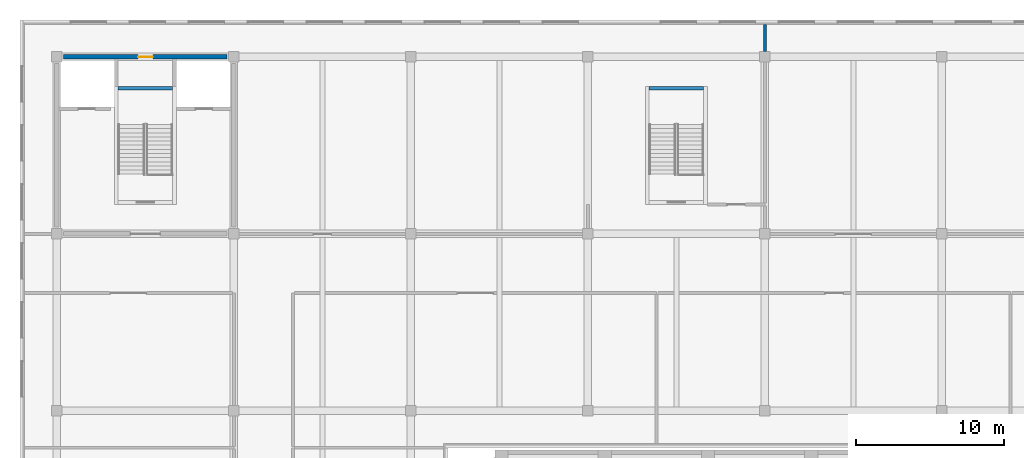
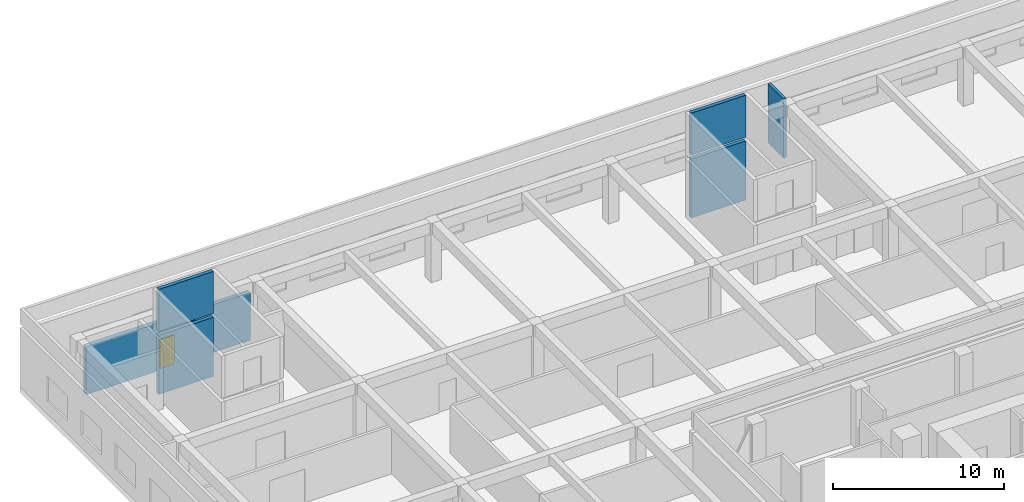
# One storey, part 22 of 35: 6 walls, 1 door, 1 opening.
"""IFC4 building model written with IfcOpenShell, lengths in metres."""

from ifc_helpers import new_model, si_unit, direction, frame, frame_2d, origin, place, context, subcontext, project, spatial, rectangle, extrude, source, transform, mapped, material, layer, layer_set, type_object, element, fill, save


model = new_model("IFC4")

# Units and contexts
model_context = context("Model", 3, precision=1e-05, world=origin(), true_north=direction((0.0, 1.0)))
body_context = subcontext(model_context, "Body", "Model", "MODEL_VIEW")
ifc_project = project(units=[si_unit("LENGTHUNIT", "METRE"), si_unit("AREAUNIT", "SQUARE_METRE"), si_unit("VOLUMEUNIT", "CUBIC_METRE"), si_unit("PLANEANGLEUNIT", "RADIAN"), si_unit("MASSUNIT", "GRAM", prefix="KILO")], contexts=[model_context])

# Site, building, storey
site_placement = place(None, origin())
site = spatial("IfcSite", under=ifc_project, at=site_placement, CompositionType="ELEMENT")
building_placement = place(site_placement, origin())
building = spatial("IfcBuilding", under=site, at=building_placement, Name="Kilnfold Tower and Market Hall", CompositionType="ELEMENT")
storey_placement = place(building_placement, frame((0.0, 0.0, 22.5)))
storey = spatial("IfcBuildingStorey", under=building, at=storey_placement, Name="L04", CompositionType="ELEMENT", Elevation=22.5)

# Walls
ifc_material_1 = material(Name="Concrete C50/60", Category="concrete")
ifc_layer_1 = layer(ifc_material_1, 0.25)
ifc_layer_set_1 = layer_set([ifc_layer_1], Name="Concrete C50/60")
wall_type_1 = type_object("IfcWallType", Name="HALL CORE WALL 250", PredefinedType="SHEAR", material=ifc_layer_set_1)
shared_shape_1 = source(origin(), body_context, "Body", "SweptSolid", [
    extrude(rectangle(XDim=3.699951171875, YDim=0.25, at=frame_2d((1.85009765625, 0.0))), origin(), (0.0, 0.0, 1.0), 4.219970703125),
])
for number, where, z_axis, x_axis, name in (
    (1, (-46.800048828125, 52.52490234375, 0.0), (0.0, 0.0, 1.0), (-1.0, 0.0, 0.0), "Core wall MH2"),
    (2, (-14.5, 52.52490234375, 0.0), (0.0, 0.0, 1.0), (1.0, 0.0, 0.0), "Core wall MS4"),
):
    element("IfcWall", number, at=place(storey_placement, frame(where, z_axis=z_axis, x_axis=x_axis)), inside=storey, type_object=wall_type_1, Name=name, PredefinedType="SHEAR", context=body_context, shape_type="MappedRepresentation", body=[
        mapped(shared_shape_1, transform((0.0, 0.0, 0.0))),
    ])

# Wall, opening, door
ifc_material_2 = material(Name="Concrete C50/60", Category="concrete")
ifc_layer_2 = layer(ifc_material_2, 0.300048828125)
ifc_layer_set_2 = layer_set([ifc_layer_2], Name="Concrete C50/60")
wall_type_2 = type_object("IfcWallType", Name="HALL CORE WALL 300", PredefinedType="SHEAR", material=ifc_layer_set_2)
shared_shape_2 = source(origin(), body_context, "Body", "SweptSolid", [
    extrude(rectangle(XDim=11.099853515625, YDim=0.300048828125, at=frame_2d((5.5498046875, 0.0))), origin(), (0.0, 0.0, 1.0), 3.419921875),
])
wall_1_placement = place(storey_placement, frame((-43.10009765625, 54.64990234375, 0.0), z_axis=(0.0, 0.0, 1.0), x_axis=(-1.0, 0.0, 0.0)))
wall_1 = element("IfcWall", 3, at=wall_1_placement, inside=storey, type_object=wall_type_2, Name="Core wall MH2", PredefinedType="SHEAR", context=body_context, shape_type="MappedRepresentation", body=[
    mapped(shared_shape_2, transform((0.0, 0.0, 0.0))),
])
opening_placement = place(wall_1_placement, frame((5.050048828125, 0.0, 0.0)))
opening = element("IfcOpeningElement", 4, at=opening_placement, cuts=wall_1, Name="Opening MD4-60", PredefinedType="OPENING", context=body_context, shape_type="SweptSolid", body=[
    extrude(rectangle(XDim=1.0, YDim=2.10009765625, at=frame_2d((0.5, 1.050048828125))), frame((0.0, 0.16015625, 0.0), z_axis=(0.0, -1.0, 0.0), x_axis=(1.0, 0.0, 0.0)), (0.0, 0.0, 1.0), 0.320068359375),
])
ifc_material_3 = material(Name="Steel S355", Category="steel")
door_type = type_object("IfcDoorType", Name="HALL DOOR RISER 1000X2100 FD60", OperationType="NOTDEFINED", PredefinedType="DOOR", material=ifc_material_3)
door_placement = place(opening_placement, origin())
door = element("IfcDoor", 5, at=door_placement, inside=storey, type_object=door_type, Name="Door MD4-60", OperationType="SINGLE_SWING_LEFT", OverallHeight=2.10009765625, OverallWidth=1.0, PredefinedType="DOOR", context=body_context, shape_type="SweptSolid", body=[
    extrude(rectangle(XDim=1.0, YDim=2.10009765625, at=frame_2d((0.5, 1.050048828125))), frame((0.0, 0.02490234375, 0.0), z_axis=(0.0, -1.0, 0.0), x_axis=(1.0, 0.0, 0.0)), (0.0, 0.0, 1.0), 0.050048828125),
])
fill(opening, door)

# Walls
ifc_material_4 = material(Name="Concrete C50/60", Category="concrete")
ifc_layer_3 = layer(ifc_material_4, 0.25)
ifc_layer_set_3 = layer_set([ifc_layer_3], Name="Concrete C50/60")
wall_type_3 = type_object("IfcWallType", Name="HEADHOUSE WALL 250", PredefinedType="SOLIDWALL", material=ifc_layer_set_3)
shared_shape_3 = source(origin(), body_context, "Body", "SweptSolid", [
    extrude(rectangle(XDim=3.699951171875, YDim=0.25, at=frame_2d((1.85009765625, 0.0))), origin(), (0.0, 0.0, 1.0), 3.0),
])
for number, where, z_axis, x_axis, name in (
    (6, (-50.5, 52.52490234375, 4.5), (0.0, 0.0, 1.0), (1.0, 0.0, 0.0), "Stair head-house wall MS3"),
    (7, (-14.5, 52.52490234375, 4.5), (0.0, 0.0, 1.0), (1.0, 0.0, 0.0), "Stair head-house wall MS4"),
):
    element("IfcWall", number, at=place(storey_placement, frame(where, z_axis=z_axis, x_axis=x_axis)), inside=storey, type_object=wall_type_3, Name=name, PredefinedType="SOLIDWALL", context=body_context, shape_type="MappedRepresentation", body=[
        mapped(shared_shape_3, transform((0.0, 0.0, 0.0))),
    ])
ifc_material_5 = material(Name="Concrete blockwork", Category="masonry")
ifc_layer_4 = layer(ifc_material_5, 0.199951171875)
ifc_layer_set_4 = layer_set([ifc_layer_4], Name="Concrete blockwork")
wall_type_4 = type_object("IfcWallType", Name="HALL PARTITION 200 EI 120", PredefinedType="PARTITIONING", material=ifc_layer_set_4)
shared_shape_4 = source(origin(), body_context, "Body", "SweptSolid", [
    extrude(rectangle(XDim=1.85009765625, YDim=0.199951171875, at=frame_2d((0.925048828125, 0.0))), origin(), (0.0, 0.0, 1.0), 4.219970703125),
])
wall_2_placement = place(storey_placement, frame((-6.64990234375, 56.85009765625, 0.0), z_axis=(0.0, 0.0, 1.0), x_axis=(0.0, -1.0, 0.0)))
element("IfcWall", 8, at=wall_2_placement, inside=storey, type_object=wall_type_4, Name="Partition W-MH-L04.37", PredefinedType="PARTITIONING", context=body_context, shape_type="MappedRepresentation", body=[
    mapped(shared_shape_4, transform((0.0, 0.0, 0.0))),
])

save(model, "model.ifc")
